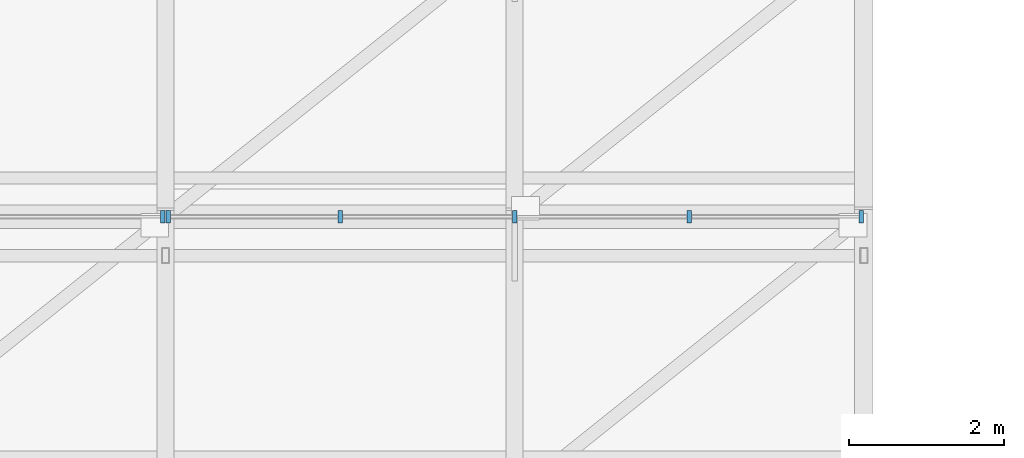
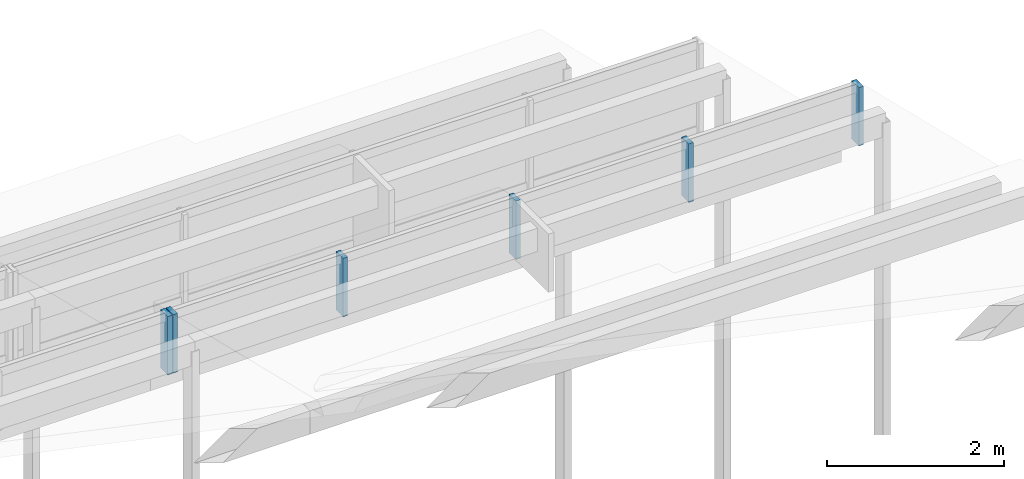
# One storey, part 41 of 69: 6 members, 2 elements without a shape of their own.
"""IFC4 building model written with IfcOpenShell, lengths in metres."""

import ifcopenshell
import ifcopenshell.guid

model = None  # the IFC model being written
_history = None  # IfcOwnerHistory: only IFC2X3 demands one
_inside = {}  # id of a spatial element -> (the spatial element, [elements in it])
_under = {}  # id of a project, library or spatial element -> (it, [spatial elements below it])
_declared = {}  # id of a project -> (the project, [libraries it declares])
_typed = {}  # id of a type object -> (the type object, [elements of that type])
_made_of = {}  # id of a material, layer set ... -> (it, [elements and type objects made of it])


def new_model(schema):
    """Start an empty IFC model of exactly this schema.

    Asked for "IFC4X3", IfcOpenShell would pick the latest addendum, in which some entities
    have other attributes; the version numbers below select the first issue.
    IFC2X3 requires an IfcOwnerHistory on every rooted entity: one is made here for all.
    """
    global model, _history
    if schema == "IFC4X3":
        model = ifcopenshell.file(schema_version=(4, 3, 0, 0))
    else:
        model = ifcopenshell.file(schema=schema)
    _inside.clear()
    _under.clear()
    _declared.clear()
    _typed.clear()
    _made_of.clear()
    _history = None
    if model.schema == "IFC2X3":
        org = make("IfcOrganization", Name="unknown")
        user = make(
            "IfcPersonAndOrganization",
            ThePerson=make("IfcPerson", FamilyName="unknown"),
            TheOrganization=org,
        )
        app = make(
            "IfcApplication",
            ApplicationDeveloper=org,
            Version="unknown",
            ApplicationFullName="unknown",
            ApplicationIdentifier="unknown",
        )
        _history = make(
            "IfcOwnerHistory",
            OwningUser=user,
            OwningApplication=app,
            ChangeAction="ADDED",
            CreationDate=0,
        )
    return model


def make(cls, **values):
    """One entity of the class cls with the attributes given. An attribute that is None is left unset."""
    return model.create_entity(
        cls, **{name: value for name, value in values.items() if value is not None}
    )


def rooted(cls, **values):
    """An entity with a GlobalId (a new one), such as an element, a storey or a relation."""
    return make(cls, GlobalId=ifcopenshell.guid.new(), OwnerHistory=_history, **values)


def si_unit(unit_type, name, prefix=None):
    """IfcSIUnit, for example si_unit("LENGTHUNIT", "METRE", prefix="MILLI")."""
    return make("IfcSIUnit", UnitType=unit_type, Prefix=prefix, Name=name)


def assignment(units):
    """IfcUnitAssignment: the units of a project."""
    return None if units is None else make("IfcUnitAssignment", Units=units)


def point(xyz):
    """IfcCartesianPoint."""
    return None if xyz is None else make("IfcCartesianPoint", Coordinates=xyz)


def direction(xyz):
    """IfcDirection."""
    return None if xyz is None else make("IfcDirection", DirectionRatios=xyz)


def frame(location, z_axis=None, x_axis=None):
    """IfcAxis2Placement3D, a coordinate frame: its origin and axes. An axis left out is left unset."""
    return make(
        "IfcAxis2Placement3D",
        Location=point(location),
        Axis=direction(z_axis),
        RefDirection=direction(x_axis),
    )


def frame_2d(location, x_axis=None):
    """IfcAxis2Placement2D, a coordinate frame in the plane: its origin and x axis."""
    return make(
        "IfcAxis2Placement2D", Location=point(location), RefDirection=direction(x_axis)
    )


def origin():
    """The frame at (0, 0, 0) with its axes left unset."""
    return frame((0.0, 0.0, 0.0))


def origin_2d():
    """The frame at (0, 0) in the plane with its x axis left unset."""
    return frame_2d((0.0, 0.0))


def place(relative_to, where):
    """IfcLocalPlacement: puts the frame where relative to a parent placement (None: the world)."""
    return make(
        "IfcLocalPlacement", PlacementRelTo=relative_to, RelativePlacement=where
    )


def context(
    kind, dimensions, precision=None, world=None, true_north=None, identifier=None
):
    """IfcGeometricRepresentationContext, for example the 3D "Model" context."""
    return make(
        "IfcGeometricRepresentationContext",
        ContextIdentifier=identifier,
        ContextType=kind,
        CoordinateSpaceDimension=dimensions,
        Precision=precision,
        WorldCoordinateSystem=world,
        TrueNorth=true_north,
    )


def subcontext(parent, identifier, kind, view, scale=None):
    """IfcGeometricRepresentationSubContext, for example "Body" below "Model"."""
    return make(
        "IfcGeometricRepresentationSubContext",
        ContextIdentifier=identifier,
        ContextType=kind,
        ParentContext=parent,
        TargetScale=scale,
        TargetView=view,
    )


def project(units=None, contexts=None):
    """IfcProject with its units and contexts."""
    return rooted(
        "IfcProject",
        Name="project",
        RepresentationContexts=contexts,
        UnitsInContext=assignment(units),
    )


def spatial(cls, under=None, at=None, **own):
    """A site, building, storey or space (cls), placed at a placement, below another one or the project."""
    s = rooted(cls, ObjectPlacement=at, **own)
    if under is not None:
        _under.setdefault(under.id(), (under, []))[1].append(s)
    return s


def profile(cls, at=None, kind="AREA", **sizes):
    """A parametric profile (cls). Its sizes go by their IFC names, for example OverallWidth=200.0."""
    return make(cls, ProfileType=kind, Position=at, **sizes)


def rectangle(**sizes):
    """IfcRectangleProfileDef."""
    return profile("IfcRectangleProfileDef", **sizes)


def extrude(swept, where, along, depth):
    """IfcExtrudedAreaSolid: the profile swept, set in the frame where, extruded along a direction by depth."""
    return make(
        "IfcExtrudedAreaSolid",
        SweptArea=swept,
        Position=where,
        ExtrudedDirection=direction(along),
        Depth=depth,
    )


def shape(context_of_items, identifier, shape_type, items):
    """IfcShapeRepresentation: the items that make up one representation, for example the "Body"."""
    return make(
        "IfcShapeRepresentation",
        ContextOfItems=context_of_items,
        RepresentationIdentifier=identifier,
        RepresentationType=shape_type,
        Items=items,
    )


def material(Name=None, Category=None):
    """IfcMaterial."""
    return make("IfcMaterial", Name=Name, Category=Category)


def layer(
    of_material, thickness, ventilated=None, Name=None, Category=None, Priority=None
):
    """IfcMaterialLayer: one layer of a wall or slab, of a material (None: an air gap)."""
    return make(
        "IfcMaterialLayer",
        Material=of_material,
        LayerThickness=thickness,
        IsVentilated=ventilated,
        Name=Name,
        Category=Category,
        Priority=Priority,
    )


def layer_set(layers, Name=None):
    """IfcMaterialLayerSet."""
    return make("IfcMaterialLayerSet", MaterialLayers=layers, LayerSetName=Name)


def material_profile(
    of_material, cross_section, Name=None, Category=None, Priority=None
):
    """IfcMaterialProfile: a cross section and its material."""
    return make(
        "IfcMaterialProfile",
        Name=Name,
        Material=of_material,
        Profile=cross_section,
        Priority=Priority,
        Category=Category,
    )


def profile_set(profiles, Name=None, composite=None):
    """IfcMaterialProfileSet."""
    return make(
        "IfcMaterialProfileSet",
        Name=Name,
        MaterialProfiles=profiles,
        CompositeProfile=composite,
    )


def made_of(thing, what):
    """Note that an element or type object is made of a material, layer set ...; save() writes the relation."""
    if what is not None:
        _made_of.setdefault(what.id(), (what, []))[1].append(thing)
    return thing


def type_object(cls, material=None, **own):
    """A type object (cls), such as IfcWallType, which elements share."""
    return made_of(rooted(cls, **own), material)


def element(
    cls,
    number,
    at=None,
    inside=None,
    cuts=None,
    type_object=None,
    material=None,
    context=None,
    identifier="Body",
    shape_type=None,
    held_by="IfcProductDefinitionShape",
    body=None,
    shapes=None,
    **own,
):
    """One element of the class cls, such as IfcWall. Its Tag is "e" and its number.

    at: its placement. inside: the storey or other place that contains it. cuts: it is an
    opening in that element (IfcRelVoidsElement). A single representation is given by context,
    identifier, shape_type and body (its items); several are given by shapes. held_by: the class
    of the entity that holds the representations. save() writes the other relations.
    """
    e = rooted(cls, Tag="e%d" % number, ObjectPlacement=at, **own)
    if body is not None:
        shapes = [shape(context, identifier, shape_type, body)]
    if shapes is not None:
        e.Representation = make(held_by, Representations=shapes)
    if inside is not None:
        _inside.setdefault(inside.id(), (inside, []))[1].append(e)
    if cuts is not None:
        rooted(
            "IfcRelVoidsElement", RelatingBuildingElement=cuts, RelatedOpeningElement=e
        )
    if type_object is not None:
        _typed.setdefault(type_object.id(), (type_object, []))[1].append(e)
    return made_of(e, material)


def aggregate(whole, parts):
    """IfcRelAggregates: a whole, such as a stair, and the parts it consists of."""
    return rooted("IfcRelAggregates", RelatingObject=whole, RelatedObjects=parts)


def save(model, path):
    """Write the relations noted so far, then the file.

    IfcRelAggregates (storeys below a building ...), IfcRelContainedInSpatialStructure (elements
    in a storey), IfcRelDefinesByType, IfcRelAssociatesMaterial and IfcRelDeclares: one each for
    every whole, place, type object, material and project.
    """
    for whole, parts in _under.values():
        aggregate(whole, parts)
    for where, things in _inside.values():
        rooted(
            "IfcRelContainedInSpatialStructure",
            RelatedElements=things,
            RelatingStructure=where,
        )
    for kind, things in _typed.values():
        rooted("IfcRelDefinesByType", RelatedObjects=things, RelatingType=kind)
    for what, things in _made_of.values():
        rooted("IfcRelAssociatesMaterial", RelatedObjects=things, RelatingMaterial=what)
    for by, libraries in _declared.values():
        rooted("IfcRelDeclares", RelatingContext=by, RelatedDefinitions=libraries)
    model.write(path)


model = new_model("IFC4")

# Units and contexts
model_context = context("Model", 3, precision=1e-05, world=origin(), true_north=direction((0.0, 1.0)))
body_context = subcontext(model_context, "Body", "Model", "MODEL_VIEW")
ifc_project = project(units=[si_unit("LENGTHUNIT", "METRE"), si_unit("AREAUNIT", "SQUARE_METRE"), si_unit("VOLUMEUNIT", "CUBIC_METRE"), si_unit("PLANEANGLEUNIT", "RADIAN"), si_unit("MASSUNIT", "GRAM", prefix="KILO")], contexts=[model_context])

# Site, building, storey
site_placement = place(None, origin())
site = spatial("IfcSite", under=ifc_project, at=site_placement, CompositionType="ELEMENT")
building_placement = place(site_placement, origin())
building = spatial("IfcBuilding", under=site, at=building_placement, Name="Montealbar Specialist Clinic", CompositionType="ELEMENT")
storey_placement = place(building_placement, frame((0.0, 0.0, 9.60009765625)))
storey = spatial("IfcBuildingStorey", under=building, at=storey_placement, Name="L02", CompositionType="ELEMENT", Elevation=9.60009765625)

# Curtain wall, member
ifc_material_1 = material(Name="Low-E double glazing", Category="glass")
ifc_layer = layer(ifc_material_1, 0.199951171875, Name="Low-E double glazing", Category="glass")
ifc_layer_set = layer_set([ifc_layer], Name="Low-E double glazing")
curtain_wall_type = type_object("IfcCurtainWallType", Name="CW-TYPE-48", PredefinedType="NOTDEFINED", material=ifc_layer_set)
curtain_wall_1_placement = place(storey_placement, origin())
curtain_wall_1 = element("IfcCurtainWall", 1, at=curtain_wall_1_placement, inside=storey, type_object=curtain_wall_type, Name="Unitised Curtain Wall CW-L02-810-738-900-738-196", PredefinedType="NOTDEFINED")
ifc_material_2 = material(Name="Anodised aluminium EN AW-6063", Category="aluminium")
ifc_material_profile = material_profile(ifc_material_2, rectangle(XDim=0.06005859375, YDim=0.159912109375, at=origin_2d()), Name="ALU 60x160", Category="aluminium")
ifc_profile_set = profile_set([ifc_material_profile], Name="Anodised aluminium EN AW-6063")
member_type = type_object("IfcMemberType", Name="CW-MUL-160", PredefinedType="MULLION", material=ifc_profile_set)
member_1_placement = place(storey_placement, frame((89.965087890625, 73.800048828125, 9.974853515625), z_axis=(0.0, 0.0, 1.0), x_axis=(1.0, 0.0, 0.0)))
member_1 = element("IfcMember", 2, at=member_1_placement, type_object=member_type, Name="Curtain Wall Mullion CW-L02-810-738-900-738-196-04", PredefinedType="MULLION", context=body_context, shape_type="SweptSolid", body=[
    extrude(rectangle(XDim=0.06005859375, YDim=0.159912109375, at=origin_2d()), origin(), (0.0, 0.0, 1.0), 0.803955078125),
])
aggregate(curtain_wall_1, [member_1])

# Curtain wall, members
curtain_wall_2_placement = place(storey_placement, origin())
curtain_wall_2 = element("IfcCurtainWall", 3, at=curtain_wall_2_placement, inside=storey, type_object=curtain_wall_type, Name="Unitised Curtain Wall CW-L02-900-738-990-738-196", PredefinedType="NOTDEFINED")
member_2_placement = place(storey_placement, frame((90.034912109375, 73.800048828125, 9.974853515625), z_axis=(0.0, 0.0, 1.0), x_axis=(1.0, 0.0, 0.0)))
member_2 = element("IfcMember", 4, at=member_2_placement, type_object=member_type, Name="Curtain Wall Mullion CW-L02-900-738-990-738-196-00", PredefinedType="MULLION", context=body_context, shape_type="SweptSolid", body=[
    extrude(rectangle(XDim=0.06005859375, YDim=0.159912109375, at=origin_2d()), origin(), (0.0, 0.0, 1.0), 0.803955078125),
])
member_3_placement = place(storey_placement, frame((92.25, 73.800048828125, 9.974853515625), z_axis=(0.0, 0.0, 1.0), x_axis=(1.0, 0.0, 0.0)))
member_3 = element("IfcMember", 5, at=member_3_placement, type_object=member_type, Name="Curtain Wall Mullion CW-L02-900-738-990-738-196-01", PredefinedType="MULLION", context=body_context, shape_type="SweptSolid", body=[
    extrude(rectangle(XDim=0.06005859375, YDim=0.159912109375, at=origin_2d()), origin(), (0.0, 0.0, 1.0), 0.803955078125),
])
member_4_placement = place(storey_placement, frame((94.5, 73.800048828125, 9.974853515625), z_axis=(0.0, 0.0, 1.0), x_axis=(1.0, 0.0, 0.0)))
member_4 = element("IfcMember", 6, at=member_4_placement, type_object=member_type, Name="Curtain Wall Mullion CW-L02-900-738-990-738-196-02", PredefinedType="MULLION", context=body_context, shape_type="SweptSolid", body=[
    extrude(rectangle(XDim=0.06005859375, YDim=0.159912109375, at=origin_2d()), origin(), (0.0, 0.0, 1.0), 0.803955078125),
])
member_5_placement = place(storey_placement, frame((96.75, 73.800048828125, 9.974853515625), z_axis=(0.0, 0.0, 1.0), x_axis=(1.0, 0.0, 0.0)))
member_5 = element("IfcMember", 7, at=member_5_placement, type_object=member_type, Name="Curtain Wall Mullion CW-L02-900-738-990-738-196-03", PredefinedType="MULLION", context=body_context, shape_type="SweptSolid", body=[
    extrude(rectangle(XDim=0.06005859375, YDim=0.159912109375, at=origin_2d()), origin(), (0.0, 0.0, 1.0), 0.803955078125),
])
member_6_placement = place(storey_placement, frame((98.965087890625, 73.800048828125, 9.974853515625), z_axis=(0.0, 0.0, 1.0), x_axis=(1.0, 0.0, 0.0)))
member_6 = element("IfcMember", 8, at=member_6_placement, type_object=member_type, Name="Curtain Wall Mullion CW-L02-900-738-990-738-196-04", PredefinedType="MULLION", context=body_context, shape_type="SweptSolid", body=[
    extrude(rectangle(XDim=0.06005859375, YDim=0.159912109375, at=origin_2d()), origin(), (0.0, 0.0, 1.0), 0.803955078125),
])
aggregate(curtain_wall_2, [member_2, member_3, member_4, member_5, member_6])

save(model, "model.ifc")
